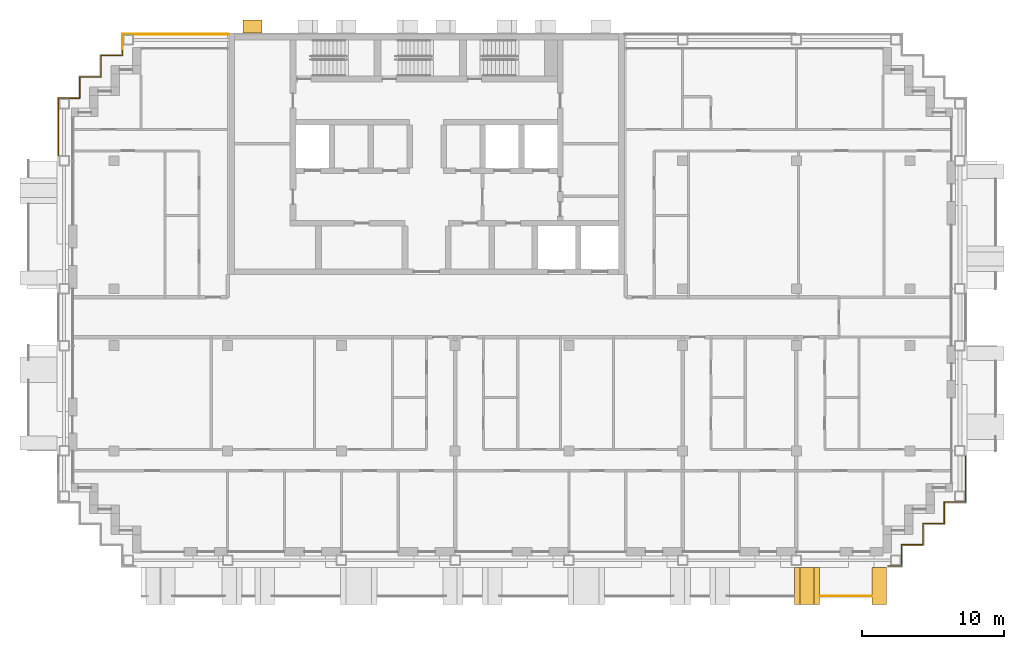
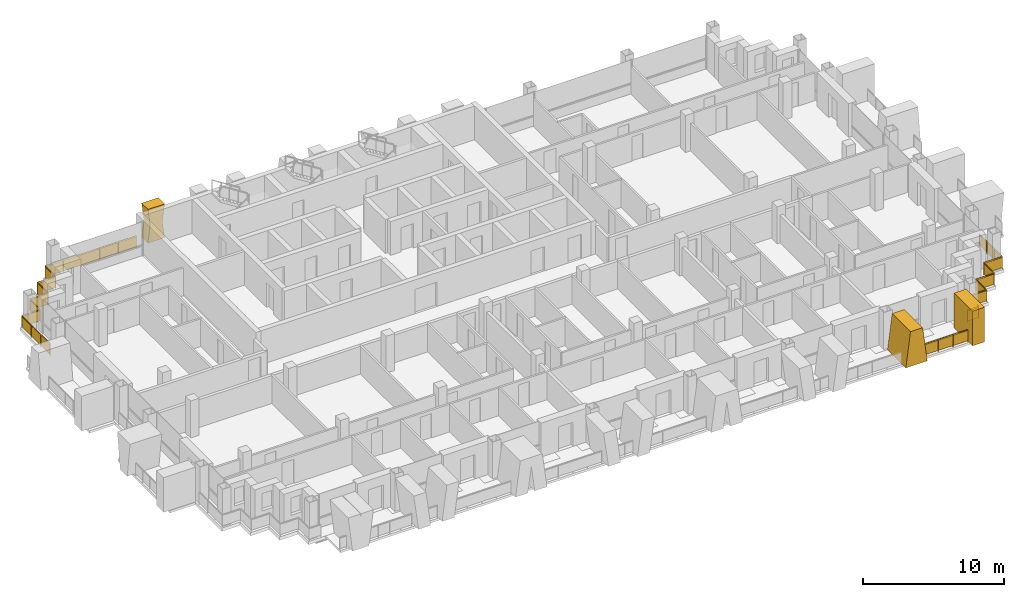
# One storey, part 14 of 16: 5 railings, 3 shading devices.
"""IFC4 building model written with IfcOpenShell, lengths in metres."""

from ifc_helpers import new_model, si_unit, direction, frame, origin, origin_2d, place, context, subcontext, project, spatial, polyline, rectangle, circle, outline, extrude, material, layer, layer_set, type_object, element, save


model = new_model("IFC4")

# Units and contexts
model_context = context("Model", 3, precision=1e-05, world=origin(), true_north=direction((0.0, 1.0)))
body_context = subcontext(model_context, "Body", "Model", "MODEL_VIEW")
ifc_project = project(units=[si_unit("LENGTHUNIT", "METRE"), si_unit("AREAUNIT", "SQUARE_METRE"), si_unit("VOLUMEUNIT", "CUBIC_METRE"), si_unit("PLANEANGLEUNIT", "RADIAN"), si_unit("MASSUNIT", "GRAM", prefix="KILO")], contexts=[model_context])

# Site, building, storey
site_placement = place(None, origin())
site = spatial("IfcSite", under=ifc_project, at=site_placement, CompositionType="ELEMENT")
building_placement = place(site_placement, origin())
building = spatial("IfcBuilding", under=site, at=building_placement, Name="Vidyagriha Tower", CompositionType="ELEMENT")
storey_placement = place(building_placement, frame((0.0, 0.0, 174.89990234375)))
storey = spatial("IfcBuildingStorey", under=building, at=storey_placement, Name="L45", CompositionType="ELEMENT", Elevation=174.89990234375)

# Railing
ifc_material_1 = material(Name="Steel ASTM A500 Grade C black painted", Category="steel")
railing_type_1 = type_object("IfcRailingType", Name="Balcony guard 1100", PredefinedType="BALUSTRADE", material=ifc_material_1)
railing_1_placement = place(storey_placement, frame((27.675048828125, -19.60009765625, 0.0)))
element("IfcRailing", 1, at=railing_1_placement, inside=storey, type_object=railing_type_1, Name="Balcony guard L45 R23.1-11", PredefinedType="BALUSTRADE", context=body_context, shape_type="SweptSolid", body=[
    extrude(circle(Radius=0.02490234375, at=origin_2d()), frame((0.0, 0.0, 1.0751953125), z_axis=(1.0, 0.0, 0.0), x_axis=(0.0, 1.0, 0.0)), (0.0, 0.0, 1.0), 3.599853515625),
    extrude(circle(Radius=0.02001953125, at=origin_2d()), origin(), (0.0, 0.0, 1.0), 1.050048828125),
    extrude(circle(Radius=0.02001953125, at=origin_2d()), frame((1.199951171875, 0.0, 0.0)), (0.0, 0.0, 1.0), 1.050048828125),
    extrude(circle(Radius=0.02001953125, at=origin_2d()), frame((2.39990234375, 0.0, 0.0)), (0.0, 0.0, 1.0), 1.050048828125),
    extrude(circle(Radius=0.02001953125, at=origin_2d()), frame((3.599853515625, 0.0, 0.0)), (0.0, 0.0, 1.0), 1.050048828125),
    extrude(rectangle(XDim=0.010009765625, YDim=0.900146484375, at=origin_2d()), frame((0.0, 0.0, 0.550048828125), z_axis=(1.0, 0.0, 0.0), x_axis=(0.0, 1.0, 0.0)), (0.0, 0.0, 1.0), 3.599853515625),
])

# Shading devices
ifc_material_2 = material(Name="Precast concrete C40/50 with buff brick facing", Category="concrete")
ifc_layer_1 = layer(ifc_material_2, 1.0)
ifc_layer_set_1 = layer_set([ifc_layer_1], Name="Precast concrete C40/50 with buff brick facing")
shading_device_type_1 = type_object("IfcShadingDeviceType", Name="Brick-faced blade fin forking 8 degrees", PredefinedType="USERDEFINED", material=ifc_layer_set_1)
shading_device_1_placement = place(storey_placement, frame((25.875, -18.89990234375, 0.0)))
element("IfcShadingDevice", 2, at=shading_device_1_placement, inside=storey, type_object=shading_device_type_1, Name="Forked blade fin L45 R23.4610a", ObjectType="BLADE FIN", PredefinedType="USERDEFINED", context=body_context, shape_type="SweptSolid", body=[
    extrude(outline(polyline([(0.0, 0.0), (1.75, 0.0), (1.375, 3.0), (0.375, 3.0), (0.0, 0.0)])), frame((0.0, 1.300048828125, 0.0), z_axis=(0.0, -1.0, 0.0), x_axis=(1.0, 0.0, 0.0)), (0.0, 0.0, 1.0), 2.60009765625),
])
ifc_material_3 = material(Name="Precast concrete C40/50 with buff brick facing", Category="concrete")
ifc_layer_2 = layer(ifc_material_3, 1.0)
ifc_layer_set_2 = layer_set([ifc_layer_2], Name="Precast concrete C40/50 with buff brick facing")
shading_device_type_2 = type_object("IfcShadingDeviceType", Name="Brick-faced blade fin stem 1000", PredefinedType="USERDEFINED", material=ifc_layer_set_2)
shading_device_2_placement = place(storey_placement, frame((31.324951171875, -18.89990234375, 0.0)))
element("IfcShadingDevice", 3, at=shading_device_2_placement, inside=storey, type_object=shading_device_type_2, Name="Stem blade fin L45 R23.5220a", ObjectType="BLADE FIN", PredefinedType="USERDEFINED", context=body_context, shape_type="SweptSolid", body=[
    extrude(outline(polyline([(0.0, 0.0), (1.0, 0.0), (1.0, 3.0), (0.0, 3.0), (0.0, 0.0)])), frame((0.0, 1.300048828125, 0.0), z_axis=(0.0, -1.0, 0.0), x_axis=(1.0, 0.0, 0.0)), (0.0, 0.0, 1.0), 2.60009765625),
])
ifc_material_4 = material(Name="Precast concrete C40/50 with brick facing", Category="concrete")
ifc_layer_3 = layer(ifc_material_4, 1.0)
ifc_layer_set_3 = layer_set([ifc_layer_3], Name="Precast concrete C40/50 with brick facing")
shading_device_type_3 = type_object("IfcShadingDeviceType", Name="Brick-faced rear rib forking 8 degrees", PredefinedType="USERDEFINED", material=ifc_layer_set_3)
shading_device_3_placement = place(storey_placement, frame((-11.5712890625, 20.449951171875, 0.0), z_axis=(0.0, 0.0, 1.0), x_axis=(-1.0, 0.0, 0.0)))
element("IfcShadingDevice", 4, at=shading_device_3_placement, inside=storey, type_object=shading_device_type_3, Name="Rear rib fork L45 R08.5a", ObjectType="BLADE FIN", PredefinedType="USERDEFINED", context=body_context, shape_type="SweptSolid", body=[
    extrude(outline(polyline([(0.0, 0.0), (1.357177734375, 0.0), (1.1787109375, 1.460205078125), (1.357177734375, 2.920166015625), (0.0, 2.920166015625), (0.1787109375, 1.460205078125), (0.0, 0.0)])), frame((0.0, 0.449951171875, 0.0), z_axis=(0.0, -1.0, 0.0), x_axis=(1.0, 0.0, 0.0)), (0.0, 0.0, 1.0), 0.89990234375),
])

# Railings
ifc_material_5 = material(Name="Steel ASTM A500 Grade C black painted", Category="steel")
railing_type_2 = type_object("IfcRailingType", Name="Gallery guard 1100", PredefinedType="GUARDRAIL", material=ifc_material_5)
railing_2_placement = place(storey_placement, frame((-25.89990234375, 11.360107421875, 0.0)))
element("IfcRailing", 5, at=railing_2_placement, inside=storey, type_object=railing_type_2, Name="Gallery guard L45 4", PredefinedType="GUARDRAIL", context=body_context, shape_type="SweptSolid", body=[
    extrude(circle(Radius=0.02490234375, at=origin_2d()), frame((0.0, 0.0, 1.0751953125), z_axis=(0.0, 1.0, 0.0), x_axis=(-1.0, 0.0, 0.0)), (0.0, 0.0, 1.0), 4.039794921875),
    extrude(circle(Radius=0.02490234375, at=origin_2d()), frame((0.0, 4.039794921875, 1.0751953125), z_axis=(1.0, 0.0, 0.0), x_axis=(0.0, 1.0, 0.0)), (0.0, 0.0, 1.0), 1.5),
    extrude(circle(Radius=0.02490234375, at=origin_2d()), frame((1.5, 4.039794921875, 1.0751953125), z_axis=(0.0, 1.0, 0.0), x_axis=(-1.0, 0.0, 0.0)), (0.0, 0.0, 1.0), 1.5),
    extrude(circle(Radius=0.02490234375, at=origin_2d()), frame((1.5, 5.539794921875, 1.0751953125), z_axis=(1.0, 0.0, 0.0), x_axis=(0.0, 1.0, 0.0)), (0.0, 0.0, 1.0), 1.5),
    extrude(circle(Radius=0.02490234375, at=origin_2d()), frame((3.0, 5.539794921875, 1.0751953125), z_axis=(0.0, 1.0, 0.0), x_axis=(-1.0, 0.0, 0.0)), (0.0, 0.0, 1.0), 1.5),
    extrude(circle(Radius=0.02490234375, at=origin_2d()), frame((3.0, 7.039794921875, 1.0751953125), z_axis=(1.0, 0.0, 0.0), x_axis=(0.0, 1.0, 0.0)), (0.0, 0.0, 1.0), 1.5),
    extrude(circle(Radius=0.02490234375, at=origin_2d()), frame((4.5, 7.039794921875, 1.0751953125), z_axis=(0.0, 1.0, 0.0), x_axis=(-1.0, 0.0, 0.0)), (0.0, 0.0, 1.0), 0.460205078125),
    extrude(circle(Radius=0.02001953125, at=origin_2d()), origin(), (0.0, 0.0, 1.0), 1.050048828125),
    extrude(circle(Radius=0.02001953125, at=origin_2d()), frame((0.0, 1.3466796875, 0.0)), (0.0, 0.0, 1.0), 1.050048828125),
    extrude(circle(Radius=0.02001953125, at=origin_2d()), frame((0.0, 2.693115234375, 0.0)), (0.0, 0.0, 1.0), 1.050048828125),
    extrude(circle(Radius=0.02001953125, at=origin_2d()), frame((0.0, 4.039794921875, 0.0)), (0.0, 0.0, 1.0), 1.050048828125),
    extrude(circle(Radius=0.02001953125, at=origin_2d()), frame((1.5, 4.039794921875, 0.0)), (0.0, 0.0, 1.0), 1.050048828125),
    extrude(circle(Radius=0.02001953125, at=origin_2d()), frame((1.5, 5.539794921875, 0.0)), (0.0, 0.0, 1.0), 1.050048828125),
    extrude(circle(Radius=0.02001953125, at=origin_2d()), frame((3.0, 5.539794921875, 0.0)), (0.0, 0.0, 1.0), 1.050048828125),
    extrude(circle(Radius=0.02001953125, at=origin_2d()), frame((3.0, 7.039794921875, 0.0)), (0.0, 0.0, 1.0), 1.050048828125),
    extrude(circle(Radius=0.02001953125, at=origin_2d()), frame((4.5, 7.039794921875, 0.0)), (0.0, 0.0, 1.0), 1.050048828125),
    extrude(circle(Radius=0.02001953125, at=origin_2d()), frame((4.5, 7.5, 0.0)), (0.0, 0.0, 1.0), 1.050048828125),
    extrude(rectangle(XDim=0.010009765625, YDim=0.900146484375, at=origin_2d()), frame((0.0, 0.0, 0.550048828125), z_axis=(0.0, 1.0, 0.0), x_axis=(-1.0, 0.0, 0.0)), (0.0, 0.0, 1.0), 4.039794921875),
    extrude(rectangle(XDim=0.010009765625, YDim=0.900146484375, at=origin_2d()), frame((0.0, 4.039794921875, 0.550048828125), z_axis=(1.0, 0.0, 0.0), x_axis=(0.0, 1.0, 0.0)), (0.0, 0.0, 1.0), 1.5),
    extrude(rectangle(XDim=0.010009765625, YDim=0.900146484375, at=origin_2d()), frame((1.5, 4.039794921875, 0.550048828125), z_axis=(0.0, 1.0, 0.0), x_axis=(-1.0, 0.0, 0.0)), (0.0, 0.0, 1.0), 1.5),
    extrude(rectangle(XDim=0.010009765625, YDim=0.900146484375, at=origin_2d()), frame((1.5, 5.539794921875, 0.550048828125), z_axis=(1.0, 0.0, 0.0), x_axis=(0.0, 1.0, 0.0)), (0.0, 0.0, 1.0), 1.5),
    extrude(rectangle(XDim=0.010009765625, YDim=0.900146484375, at=origin_2d()), frame((3.0, 5.539794921875, 0.550048828125), z_axis=(0.0, 1.0, 0.0), x_axis=(-1.0, 0.0, 0.0)), (0.0, 0.0, 1.0), 1.5),
    extrude(rectangle(XDim=0.010009765625, YDim=0.900146484375, at=origin_2d()), frame((3.0, 7.039794921875, 0.550048828125), z_axis=(1.0, 0.0, 0.0), x_axis=(0.0, 1.0, 0.0)), (0.0, 0.0, 1.0), 1.5),
    extrude(rectangle(XDim=0.010009765625, YDim=0.900146484375, at=origin_2d()), frame((4.5, 7.039794921875, 0.550048828125), z_axis=(0.0, 1.0, 0.0), x_axis=(-1.0, 0.0, 0.0)), (0.0, 0.0, 1.0), 0.460205078125),
])
railing_3_placement = place(storey_placement, frame((-21.39990234375, 18.860107421875, 0.0)))
element("IfcRailing", 6, at=railing_3_placement, inside=storey, type_object=railing_type_2, Name="Gallery guard L45 5", PredefinedType="GUARDRAIL", context=body_context, shape_type="SweptSolid", body=[
    extrude(circle(Radius=0.02490234375, at=origin_2d()), frame((0.0, 0.0, 1.0751953125), z_axis=(0.0, 1.0, 0.0), x_axis=(-1.0, 0.0, 0.0)), (0.0, 0.0, 1.0), 1.039794921875),
    extrude(circle(Radius=0.02490234375, at=origin_2d()), frame((0.0, 1.039794921875, 1.0751953125), z_axis=(1.0, 0.0, 0.0), x_axis=(0.0, 1.0, 0.0)), (0.0, 0.0, 1.0), 7.469970703125),
    extrude(circle(Radius=0.02001953125, at=origin_2d()), origin(), (0.0, 0.0, 1.0), 1.050048828125),
    extrude(circle(Radius=0.02001953125, at=origin_2d()), frame((0.0, 1.039794921875, 0.0)), (0.0, 0.0, 1.0), 1.050048828125),
    extrude(circle(Radius=0.02001953125, at=origin_2d()), frame((1.493896484375, 1.039794921875, 0.0)), (0.0, 0.0, 1.0), 1.050048828125),
    extrude(circle(Radius=0.02001953125, at=origin_2d()), frame((2.988037109375, 1.039794921875, 0.0)), (0.0, 0.0, 1.0), 1.050048828125),
    extrude(circle(Radius=0.02001953125, at=origin_2d()), frame((4.48193359375, 1.039794921875, 0.0)), (0.0, 0.0, 1.0), 1.050048828125),
    extrude(circle(Radius=0.02001953125, at=origin_2d()), frame((5.97607421875, 1.039794921875, 0.0)), (0.0, 0.0, 1.0), 1.050048828125),
    extrude(circle(Radius=0.02001953125, at=origin_2d()), frame((7.469970703125, 1.039794921875, 0.0)), (0.0, 0.0, 1.0), 1.050048828125),
    extrude(rectangle(XDim=0.010009765625, YDim=0.900146484375, at=origin_2d()), frame((0.0, 0.0, 0.550048828125), z_axis=(0.0, 1.0, 0.0), x_axis=(-1.0, 0.0, 0.0)), (0.0, 0.0, 1.0), 1.039794921875),
    extrude(rectangle(XDim=0.010009765625, YDim=0.900146484375, at=origin_2d()), frame((0.0, 1.039794921875, 0.550048828125), z_axis=(1.0, 0.0, 0.0), x_axis=(0.0, 1.0, 0.0)), (0.0, 0.0, 1.0), 7.469970703125),
])
railing_4_placement = place(storey_placement, frame((37.89990234375, -9.760009765625, 0.0)))
element("IfcRailing", 7, at=railing_4_placement, inside=storey, type_object=railing_type_2, Name="Gallery guard L45 9", PredefinedType="GUARDRAIL", context=body_context, shape_type="SweptSolid", body=[
    extrude(circle(Radius=0.02490234375, at=origin_2d()), frame((0.0, 0.0, 1.0751953125), z_axis=(0.0, -1.0, 0.0), x_axis=(1.0, 0.0, 0.0)), (0.0, 0.0, 1.0), 3.239990234375),
    extrude(circle(Radius=0.02490234375, at=origin_2d()), frame((0.0, -3.239990234375, 1.0751953125), z_axis=(-1.0, 0.0, 0.0), x_axis=(0.0, -1.0, 0.0)), (0.0, 0.0, 1.0), 1.5),
    extrude(circle(Radius=0.02490234375, at=origin_2d()), frame((-1.5, -3.239990234375, 1.0751953125), z_axis=(0.0, -1.0, 0.0), x_axis=(1.0, 0.0, 0.0)), (0.0, 0.0, 1.0), 1.5),
    extrude(circle(Radius=0.02490234375, at=origin_2d()), frame((-1.5, -4.739990234375, 1.0751953125), z_axis=(-1.0, 0.0, 0.0), x_axis=(0.0, -1.0, 0.0)), (0.0, 0.0, 1.0), 1.5),
    extrude(circle(Radius=0.02490234375, at=origin_2d()), frame((-3.0, -4.739990234375, 1.0751953125), z_axis=(0.0, -1.0, 0.0), x_axis=(1.0, 0.0, 0.0)), (0.0, 0.0, 1.0), 1.5),
    extrude(circle(Radius=0.02490234375, at=origin_2d()), frame((-3.0, -6.239990234375, 1.0751953125), z_axis=(-1.0, 0.0, 0.0), x_axis=(0.0, -1.0, 0.0)), (0.0, 0.0, 1.0), 1.5),
    extrude(circle(Radius=0.02490234375, at=origin_2d()), frame((-4.5, -6.239990234375, 1.0751953125), z_axis=(0.0, -1.0, 0.0), x_axis=(1.0, 0.0, 0.0)), (0.0, 0.0, 1.0), 1.260009765625),
    extrude(circle(Radius=0.02001953125, at=origin_2d()), origin(), (0.0, 0.0, 1.0), 1.050048828125),
    extrude(circle(Radius=0.02001953125, at=origin_2d()), frame((0.0, -1.080078125, 0.0)), (0.0, 0.0, 1.0), 1.050048828125),
    extrude(circle(Radius=0.02001953125, at=origin_2d()), frame((0.0, -2.159912109375, 0.0)), (0.0, 0.0, 1.0), 1.050048828125),
    extrude(circle(Radius=0.02001953125, at=origin_2d()), frame((0.0, -3.239990234375, 0.0)), (0.0, 0.0, 1.0), 1.050048828125),
    extrude(circle(Radius=0.02001953125, at=origin_2d()), frame((-1.5, -3.239990234375, 0.0)), (0.0, 0.0, 1.0), 1.050048828125),
    extrude(circle(Radius=0.02001953125, at=origin_2d()), frame((-1.5, -4.739990234375, 0.0)), (0.0, 0.0, 1.0), 1.050048828125),
    extrude(circle(Radius=0.02001953125, at=origin_2d()), frame((-3.0, -4.739990234375, 0.0)), (0.0, 0.0, 1.0), 1.050048828125),
    extrude(circle(Radius=0.02001953125, at=origin_2d()), frame((-3.0, -6.239990234375, 0.0)), (0.0, 0.0, 1.0), 1.050048828125),
    extrude(circle(Radius=0.02001953125, at=origin_2d()), frame((-4.5, -6.239990234375, 0.0)), (0.0, 0.0, 1.0), 1.050048828125),
    extrude(circle(Radius=0.02001953125, at=origin_2d()), frame((-4.5, -7.5, 0.0)), (0.0, 0.0, 1.0), 1.050048828125),
    extrude(rectangle(XDim=0.010009765625, YDim=0.900146484375, at=origin_2d()), frame((0.0, 0.0, 0.550048828125), z_axis=(0.0, -1.0, 0.0), x_axis=(1.0, 0.0, 0.0)), (0.0, 0.0, 1.0), 3.239990234375),
    extrude(rectangle(XDim=0.010009765625, YDim=0.900146484375, at=origin_2d()), frame((0.0, -3.239990234375, 0.550048828125), z_axis=(-1.0, 0.0, 0.0), x_axis=(0.0, -1.0, 0.0)), (0.0, 0.0, 1.0), 1.5),
    extrude(rectangle(XDim=0.010009765625, YDim=0.900146484375, at=origin_2d()), frame((-1.5, -3.239990234375, 0.550048828125), z_axis=(0.0, -1.0, 0.0), x_axis=(1.0, 0.0, 0.0)), (0.0, 0.0, 1.0), 1.5),
    extrude(rectangle(XDim=0.010009765625, YDim=0.900146484375, at=origin_2d()), frame((-1.5, -4.739990234375, 0.550048828125), z_axis=(-1.0, 0.0, 0.0), x_axis=(0.0, -1.0, 0.0)), (0.0, 0.0, 1.0), 1.5),
    extrude(rectangle(XDim=0.010009765625, YDim=0.900146484375, at=origin_2d()), frame((-3.0, -4.739990234375, 0.550048828125), z_axis=(0.0, -1.0, 0.0), x_axis=(1.0, 0.0, 0.0)), (0.0, 0.0, 1.0), 1.5),
    extrude(rectangle(XDim=0.010009765625, YDim=0.900146484375, at=origin_2d()), frame((-3.0, -6.239990234375, 0.550048828125), z_axis=(-1.0, 0.0, 0.0), x_axis=(0.0, -1.0, 0.0)), (0.0, 0.0, 1.0), 1.5),
    extrude(rectangle(XDim=0.010009765625, YDim=0.900146484375, at=origin_2d()), frame((-4.5, -6.239990234375, 0.550048828125), z_axis=(0.0, -1.0, 0.0), x_axis=(1.0, 0.0, 0.0)), (0.0, 0.0, 1.0), 1.260009765625),
])
railing_5_placement = place(storey_placement, frame((33.39990234375, -17.260009765625, 0.0)))
element("IfcRailing", 8, at=railing_5_placement, inside=storey, type_object=railing_type_2, Name="Gallery guard L45 10", PredefinedType="GUARDRAIL", context=body_context, shape_type="SweptSolid", body=[
    extrude(circle(Radius=0.02490234375, at=origin_2d()), frame((0.0, 0.0, 1.0751953125), z_axis=(0.0, -1.0, 0.0), x_axis=(1.0, 0.0, 0.0)), (0.0, 0.0, 1.0), 0.239990234375),
    extrude(circle(Radius=0.02490234375, at=origin_2d()), frame((0.0, -0.239990234375, 1.0751953125), z_axis=(-1.0, 0.0, 0.0), x_axis=(0.0, -1.0, 0.0)), (0.0, 0.0, 1.0), 0.93994140625),
    extrude(circle(Radius=0.02001953125, at=origin_2d()), origin(), (0.0, 0.0, 1.0), 1.050048828125),
    extrude(circle(Radius=0.02001953125, at=origin_2d()), frame((0.0, -0.239990234375, 0.0)), (0.0, 0.0, 1.0), 1.050048828125),
    extrude(circle(Radius=0.02001953125, at=origin_2d()), frame((-0.93994140625, -0.239990234375, 0.0)), (0.0, 0.0, 1.0), 1.050048828125),
    extrude(rectangle(XDim=0.010009765625, YDim=0.900146484375, at=origin_2d()), frame((0.0, 0.0, 0.550048828125), z_axis=(0.0, -1.0, 0.0), x_axis=(1.0, 0.0, 0.0)), (0.0, 0.0, 1.0), 0.239990234375),
    extrude(rectangle(XDim=0.010009765625, YDim=0.900146484375, at=origin_2d()), frame((0.0, -0.239990234375, 0.550048828125), z_axis=(-1.0, 0.0, 0.0), x_axis=(0.0, -1.0, 0.0)), (0.0, 0.0, 1.0), 0.93994140625),
])

save(model, "model.ifc")
